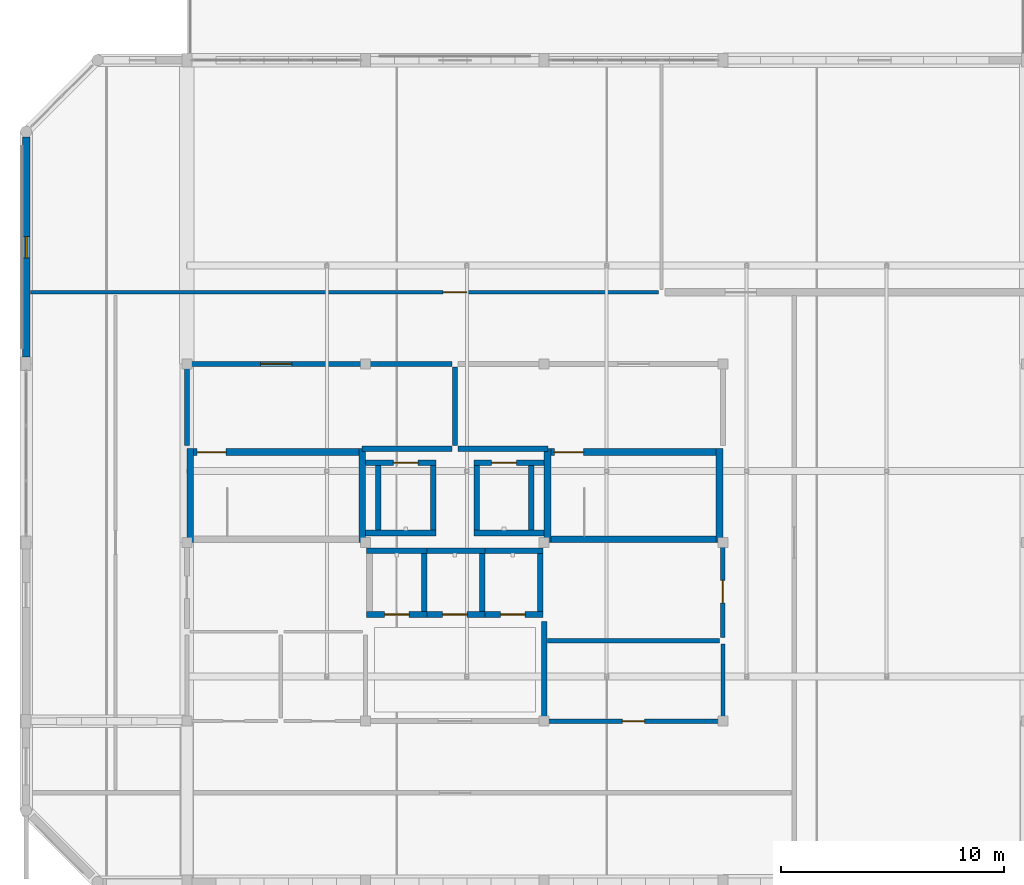
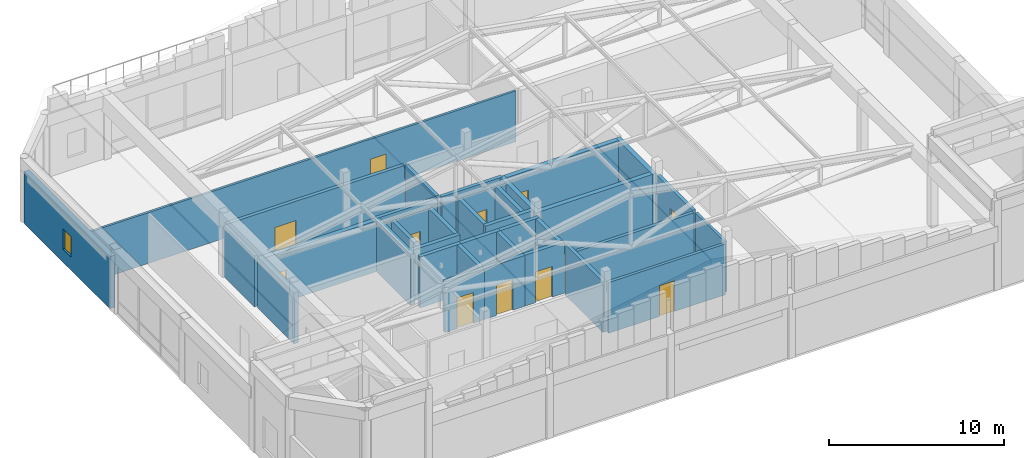
# One storey, part 20 of 24: 36 walls, 11 doors, 1 window, 12 openings.
"""IFC4 building model written with IfcOpenShell, lengths in metres."""

from ifc_helpers import new_model, si_unit, direction, frame, frame_2d, origin, place, context, subcontext, project, spatial, rectangle, extrude, material, layer, layer_set, type_object, element, fill, save


model = new_model("IFC4")

# Units and contexts
model_context = context("Model", 3, precision=1e-05, world=origin(), true_north=direction((0.0, 1.0)))
body_context = subcontext(model_context, "Body", "Model", "MODEL_VIEW")
ifc_project = project(units=[si_unit("LENGTHUNIT", "METRE"), si_unit("AREAUNIT", "SQUARE_METRE"), si_unit("VOLUMEUNIT", "CUBIC_METRE"), si_unit("PLANEANGLEUNIT", "RADIAN"), si_unit("MASSUNIT", "GRAM", prefix="KILO")], contexts=[model_context])

# Site, building, storey
site_placement = place(None, origin())
site = spatial("IfcSite", under=ifc_project, at=site_placement, CompositionType="ELEMENT")
building_placement = place(site_placement, origin())
building = spatial("IfcBuilding", under=site, at=building_placement, Name="Vellmiral Cinema and Media Centre", CompositionType="ELEMENT")
storey_placement = place(building_placement, frame((0.0, 0.0, 66.60009765625)))
storey = spatial("IfcBuildingStorey", under=building, at=storey_placement, Name="L16", CompositionType="ELEMENT", Elevation=66.60009765625)

# Wall
ifc_material_1 = material(Name="Concrete C40/50", Category="concrete")
ifc_layer_1 = layer(ifc_material_1, 0.2099609375, Name="Concrete C40/50")
ifc_layer_set_1 = layer_set([ifc_layer_1], Name="Concrete C40/50")
wall_type_1 = type_object("IfcWallType", Name="WL-COMP-210", PredefinedType="SOLIDWALL", material=ifc_layer_set_1)
wall_1_placement = place(storey_placement, frame((140.139892578125, 82.800048828125, 0.0), z_axis=(0.0, 0.0, 1.0), x_axis=(1.0, 0.0, 0.0)))
element("IfcWall", 1, at=wall_1_placement, inside=storey, type_object=wall_type_1, Name="Data Patch and Riser Room Wall S", PredefinedType="SOLIDWALL", context=body_context, shape_type="SweptSolid", body=[
    extrude(rectangle(XDim=7.72021484375, YDim=0.2099609375, at=frame_2d((3.860107421875, 0.0))), origin(), (0.0, 0.0, 1.0), 3.5498046875),
])

# Wall, opening, door
wall_2_placement = place(storey_placement, frame((148.0, 82.93994140625, 0.0), z_axis=(0.0, 0.0, 1.0), x_axis=(0.0, 1.0, 0.0)))
wall_2 = element("IfcWall", 2, at=wall_2_placement, inside=storey, type_object=wall_type_1, Name="Data Patch and Riser Room Wall E", PredefinedType="SOLIDWALL", context=body_context, shape_type="SweptSolid", body=[
    extrude(rectangle(XDim=4.1201171875, YDim=0.2099609375, at=frame_2d((2.06005859375, 0.0))), origin(), (0.0, 0.0, 1.0), 3.5498046875),
])
opening_1_placement = place(wall_2_placement, frame((1.56005859375, 0.0, 0.0)))
opening_1 = element("IfcOpeningElement", 3, at=opening_1_placement, cuts=wall_2, Name="Opening D-FD30B", PredefinedType="OPENING", context=body_context, shape_type="SweptSolid", body=[
    extrude(rectangle(XDim=1.0, YDim=2.14990234375, at=frame_2d((0.5, 1.074951171875))), frame((0.0, 0.116943359375, 0.0), z_axis=(0.0, -1.0, 0.0), x_axis=(1.0, 0.0, 0.0)), (0.0, 0.0, 1.0), 0.23388671875),
])
ifc_material_2 = material(Name="Steel Riser Fire Door", Category="steel")
door_type_1 = type_object("IfcDoorType", Name="DR-FD30-1000x2150", OperationType="NOTDEFINED", PredefinedType="DOOR", material=ifc_material_2)
door_1_placement = place(opening_1_placement, origin())
door_1 = element("IfcDoor", 4, at=door_1_placement, inside=storey, type_object=door_type_1, Name="Data Patch and Riser Room Door", OperationType="SINGLE_SWING_LEFT", OverallHeight=2.14990234375, OverallWidth=1.0, PredefinedType="DOOR", context=body_context, shape_type="SweptSolid", body=[
    extrude(rectangle(XDim=1.0, YDim=2.14990234375, at=frame_2d((0.5, 1.074951171875))), frame((0.0, 0.02490234375, 0.0), z_axis=(0.0, -1.0, 0.0), x_axis=(1.0, 0.0, 0.0)), (0.0, 0.0, 1.0), 0.050048828125),
])
fill(opening_1, door_1)

# Walls
ifc_material_3 = material(Name="Concrete C40/50", Category="concrete")
ifc_layer_2 = layer(ifc_material_3, 0.300048828125, Name="Concrete C40/50")
ifc_layer_set_2 = layer_set([ifc_layer_2], Name="Concrete C40/50")
wall_type_2 = type_object("IfcWallType", Name="WL-CORE-300", PredefinedType="SHEAR", material=ifc_layer_set_2)
for number, where, z_axis, x_axis, name in (
    (5, (124.14990234375, 87.199951171875, 0.0), (0.0, 0.0, 1.0), (0.0, 1.0, 0.0), "Stair Core Wall ST-T1 L16-W"),
    (6, (131.85009765625, 87.199951171875, 0.0), (0.0, 0.0, 1.0), (0.0, 1.0, 0.0), "Stair Core Wall ST-T1 L16-E"),
):
    element("IfcWall", number, at=place(storey_placement, frame(where, z_axis=z_axis, x_axis=x_axis)), inside=storey, type_object=wall_type_2, Name=name, PredefinedType="SHEAR", context=body_context, shape_type="SweptSolid", body=[
        extrude(rectangle(XDim=4.199951171875, YDim=0.300048828125, at=frame_2d((2.10009765625, 0.0))), origin(), (0.0, 0.0, 1.0), 3.5498046875),
    ])

# Wall, opening, door
wall_3_placement = place(storey_placement, frame((124.300048828125, 91.25, 0.0), z_axis=(0.0, 0.0, 1.0), x_axis=(1.0, 0.0, 0.0)))
wall_3 = element("IfcWall", 7, at=wall_3_placement, inside=storey, type_object=wall_type_2, Name="Stair Core Wall ST-T1 L16-N", PredefinedType="SHEAR", context=body_context, shape_type="SweptSolid", body=[
    extrude(rectangle(XDim=7.39990234375, YDim=0.300048828125, at=frame_2d((3.699951171875, 0.0))), origin(), (0.0, 0.0, 1.0), 3.5498046875),
])
opening_2_placement = place(wall_3_placement, frame((0.159912109375, 0.0, 0.0)))
opening_2 = element("IfcOpeningElement", 8, at=opening_2_placement, cuts=wall_3, Name="Opening D-FD30A", PredefinedType="OPENING", context=body_context, shape_type="SweptSolid", body=[
    extrude(rectangle(XDim=1.300048828125, YDim=2.179931640625, at=frame_2d((0.64990234375, 1.08984375))), frame((0.0, 0.162109375, 0.0), z_axis=(0.0, -1.0, 0.0), x_axis=(1.0, 0.0, 0.0)), (0.0, 0.0, 1.0), 0.323974609375),
])
ifc_material_4 = material(Name="Steel Stair Fire Door", Category="steel")
door_type_2 = type_object("IfcDoorType", Name="DR-FD30-1300x2180", OperationType="NOTDEFINED", PredefinedType="DOOR", material=ifc_material_4)
door_2_placement = place(opening_2_placement, frame((1.300048828125, 0.0, 0.0), z_axis=(0.0, 0.0, 1.0), x_axis=(-1.0, 0.0, 0.0)))
door_2 = element("IfcDoor", 9, at=door_2_placement, inside=storey, type_object=door_type_2, Name="Protected Stair Door ST-T1 L16", OperationType="SINGLE_SWING_RIGHT", OverallHeight=2.179931640625, OverallWidth=1.300048828125, PredefinedType="DOOR", context=body_context, shape_type="SweptSolid", body=[
    extrude(rectangle(XDim=1.300048828125, YDim=2.179931640625, at=frame_2d((0.64990234375, 1.08984375))), frame((0.0, 0.02490234375, 0.0), z_axis=(0.0, -1.0, 0.0), x_axis=(1.0, 0.0, 0.0)), (0.0, 0.0, 1.0), 0.050048828125),
])
fill(opening_2, door_2)

# Walls
for number, where, z_axis, x_axis, name in (
    (10, (140.14990234375, 87.199951171875, 0.0), (0.0, 0.0, 1.0), (0.0, 1.0, 0.0), "Stair Core Wall ST-T2 L16-W"),
    (11, (147.85009765625, 87.199951171875, 0.0), (0.0, 0.0, 1.0), (0.0, 1.0, 0.0), "Stair Core Wall ST-T2 L16-E"),
):
    element("IfcWall", number, at=place(storey_placement, frame(where, z_axis=z_axis, x_axis=x_axis)), inside=storey, type_object=wall_type_2, Name=name, PredefinedType="SHEAR", context=body_context, shape_type="SweptSolid", body=[
        extrude(rectangle(XDim=4.199951171875, YDim=0.300048828125, at=frame_2d((2.10009765625, 0.0))), origin(), (0.0, 0.0, 1.0), 3.5498046875),
    ])
wall_4_placement = place(storey_placement, frame((140.300048828125, 87.35009765625, 0.0), z_axis=(0.0, 0.0, 1.0), x_axis=(1.0, 0.0, 0.0)))
element("IfcWall", 12, at=wall_4_placement, inside=storey, type_object=wall_type_2, Name="Stair Core Wall ST-T2 L16-S", PredefinedType="SHEAR", context=body_context, shape_type="SweptSolid", body=[
    extrude(rectangle(XDim=7.39990234375, YDim=0.300048828125, at=frame_2d((3.699951171875, 0.0))), origin(), (0.0, 0.0, 1.0), 3.5498046875),
])

# Wall, opening, door
wall_5_placement = place(storey_placement, frame((140.300048828125, 91.25, 0.0), z_axis=(0.0, 0.0, 1.0), x_axis=(1.0, 0.0, 0.0)))
wall_5 = element("IfcWall", 13, at=wall_5_placement, inside=storey, type_object=wall_type_2, Name="Stair Core Wall ST-T2 L16-N", PredefinedType="SHEAR", context=body_context, shape_type="SweptSolid", body=[
    extrude(rectangle(XDim=7.39990234375, YDim=0.300048828125, at=frame_2d((3.699951171875, 0.0))), origin(), (0.0, 0.0, 1.0), 3.5498046875),
])
opening_3_placement = place(wall_5_placement, frame((0.159912109375, 0.0, 0.0)))
opening_3 = element("IfcOpeningElement", 14, at=opening_3_placement, cuts=wall_5, Name="Opening D-FD30A", PredefinedType="OPENING", context=body_context, shape_type="SweptSolid", body=[
    extrude(rectangle(XDim=1.300048828125, YDim=2.179931640625, at=frame_2d((0.64990234375, 1.08984375))), frame((0.0, 0.162109375, 0.0), z_axis=(0.0, -1.0, 0.0), x_axis=(1.0, 0.0, 0.0)), (0.0, 0.0, 1.0), 0.323974609375),
])
door_3_placement = place(opening_3_placement, frame((1.300048828125, 0.0, 0.0), z_axis=(0.0, 0.0, 1.0), x_axis=(-1.0, 0.0, 0.0)))
door_3 = element("IfcDoor", 15, at=door_3_placement, inside=storey, type_object=door_type_2, Name="Protected Stair Door ST-T2 L16", OperationType="SINGLE_SWING_RIGHT", OverallHeight=2.179931640625, OverallWidth=1.300048828125, PredefinedType="DOOR", context=body_context, shape_type="SweptSolid", body=[
    extrude(rectangle(XDim=1.300048828125, YDim=2.179931640625, at=frame_2d((0.64990234375, 1.08984375))), frame((0.0, 0.02490234375, 0.0), z_axis=(0.0, -1.0, 0.0), x_axis=(1.0, 0.0, 0.0)), (0.0, 0.0, 1.0), 0.050048828125),
])
fill(opening_3, door_3)

# Wall, opening, window
ifc_material_5 = material(Name="Vosges Red Sandstone Masonry", Category="masonry")
ifc_layer_3 = layer(ifc_material_5, 0.340087890625, Name="Vosges Red Sandstone Masonry")
ifc_layer_set_3 = layer_set([ifc_layer_3], Name="Vosges Red Sandstone Masonry")
wall_type_3 = type_object("IfcWallType", Name="WL-EXT-SAND-340", PredefinedType="SOLIDWALL", material=ifc_layer_set_3)
wall_6_placement = place(storey_placement, frame((116.800048828125, 105.35009765625, 0.0), z_axis=(0.0, 0.0, 1.0), x_axis=(0.0, -1.0, 0.0)))
wall_6 = element("IfcWall", 16, at=wall_6_placement, inside=storey, type_object=wall_type_3, Name="Exterior Facade Wall L16-020", PredefinedType="SOLIDWALL", context=body_context, shape_type="SweptSolid", body=[
    extrude(rectangle(XDim=9.85009765625, YDim=0.340087890625, at=frame_2d((4.925048828125, 0.0))), origin(), (0.0, 0.0, 1.0), 3.64990234375),
])
opening_4_placement = place(wall_6_placement, frame((4.449951171875, 0.0, 0.89990234375)))
opening_4 = element("IfcOpeningElement", 17, at=opening_4_placement, cuts=wall_6, Name="Opening WN-12", PredefinedType="OPENING", context=body_context, shape_type="SweptSolid", body=[
    extrude(rectangle(XDim=0.949951171875, YDim=1.449951171875, at=frame_2d((0.47509765625, 0.72509765625))), frame((0.0, 0.18212890625, 0.0), z_axis=(0.0, -1.0, 0.0), x_axis=(1.0, 0.0, 0.0)), (0.0, 0.0, 1.0), 0.364013671875),
])
ifc_material_6 = material(Name="Thermally Broken Aluminium Triple Glazing", Category="aluminium")
window_type = type_object("IfcWindowType", Name="WN-0950x1450", PartitioningType="SINGLE_PANEL", PredefinedType="WINDOW", material=ifc_material_6)
window_placement = place(opening_4_placement, origin())
window = element("IfcWindow", 18, at=window_placement, inside=storey, type_object=window_type, Name="Window L16-020", OverallHeight=1.449951171875, OverallWidth=0.949951171875, PartitioningType="SINGLE_PANEL", PredefinedType="WINDOW", context=body_context, shape_type="SweptSolid", body=[
    extrude(rectangle(XDim=0.949951171875, YDim=1.449951171875, at=frame_2d((0.47509765625, 0.72509765625))), frame((0.0, 0.030029296875, 0.0), z_axis=(0.0, -1.0, 0.0), x_axis=(1.0, 0.0, 0.0)), (0.0, 0.0, 1.0), 0.06005859375),
])
fill(opening_4, window)

# Wall
ifc_material_7 = material(Name="Concrete C40/50", Category="concrete")
ifc_layer_4 = layer(ifc_material_7, 0.22998046875, Name="Concrete C40/50")
ifc_layer_set_4 = layer_set([ifc_layer_4], Name="Concrete C40/50")
wall_type_4 = type_object("IfcWallType", Name="WL-FFL-230", PredefinedType="SOLIDWALL", material=ifc_layer_set_4)
wall_7_placement = place(storey_placement, frame((131.840087890625, 91.39990234375, 0.0), z_axis=(0.0, 0.0, 1.0), x_axis=(1.0, 0.0, 0.0)))
element("IfcWall", 19, at=wall_7_placement, inside=storey, type_object=wall_type_4, Name="Firefighting Lobby West Wall S", PredefinedType="SOLIDWALL", context=body_context, shape_type="SweptSolid", body=[
    extrude(rectangle(XDim=4.02001953125, YDim=0.22998046875, at=frame_2d((2.010009765625, 0.0))), origin(), (0.0, 0.0, 1.0), 3.5498046875),
])

# Wall, opening, door
wall_8_placement = place(storey_placement, frame((124.139892578125, 95.199951171875, 0.0), z_axis=(0.0, 0.0, 1.0), x_axis=(1.0, 0.0, 0.0)))
wall_8 = element("IfcWall", 20, at=wall_8_placement, inside=storey, type_object=wall_type_4, Name="Firefighting Lobby West Wall N", PredefinedType="SOLIDWALL", context=body_context, shape_type="SweptSolid", body=[
    extrude(rectangle(XDim=11.72021484375, YDim=0.22998046875, at=frame_2d((5.860107421875, 0.0))), origin(), (0.0, 0.0, 1.0), 3.5498046875),
])
opening_5_placement = place(wall_8_placement, frame((3.159912109375, 0.0, 0.0)))
opening_5 = element("IfcOpeningElement", 21, at=opening_5_placement, cuts=wall_8, Name="Opening D-FD60B", PredefinedType="OPENING", context=body_context, shape_type="SweptSolid", body=[
    extrude(rectangle(XDim=1.39990234375, YDim=2.199951171875, at=frame_2d((0.699951171875, 1.10009765625))), frame((0.0, 0.126953125, 0.0), z_axis=(0.0, -1.0, 0.0), x_axis=(1.0, 0.0, 0.0)), (0.0, 0.0, 1.0), 0.25390625),
])
ifc_material_8 = material(Name="Steel Fire Door", Category="steel")
door_type_3 = type_object("IfcDoorType", Name="DR-FD60-1400x2200", OperationType="NOTDEFINED", PredefinedType="DOOR", material=ifc_material_8)
door_4_placement = place(opening_5_placement, frame((1.39990234375, 0.0, 0.0), z_axis=(0.0, 0.0, 1.0), x_axis=(-1.0, 0.0, 0.0)))
door_4 = element("IfcDoor", 22, at=door_4_placement, inside=storey, type_object=door_type_3, Name="Firefighting Lobby West Door", OperationType="SINGLE_SWING_RIGHT", OverallHeight=2.199951171875, OverallWidth=1.39990234375, PredefinedType="DOOR", context=body_context, shape_type="SweptSolid", body=[
    extrude(rectangle(XDim=1.39990234375, YDim=2.199951171875, at=frame_2d((0.699951171875, 1.10009765625))), frame((0.0, 0.02490234375, 0.0), z_axis=(0.0, -1.0, 0.0), x_axis=(1.0, 0.0, 0.0)), (0.0, 0.0, 1.0), 0.050048828125),
])
fill(opening_5, door_4)

# Walls
for number, where, z_axis, x_axis, name in (
    (23, (124.0, 91.5400390625, 0.0), (0.0, 0.0, 1.0), (0.0, 1.0, 0.0), "Firefighting Lobby West Wall W"),
    (24, (136.0, 91.5400390625, 0.0), (0.0, 0.0, 1.0), (0.0, 1.0, 0.0), "Firefighting Lobby West Wall E"),
):
    element("IfcWall", number, at=place(storey_placement, frame(where, z_axis=z_axis, x_axis=x_axis)), inside=storey, type_object=wall_type_4, Name=name, PredefinedType="SOLIDWALL", context=body_context, shape_type="SweptSolid", body=[
        extrude(rectangle(XDim=3.52001953125, YDim=0.22998046875, at=frame_2d((1.760009765625, 0.0))), origin(), (0.0, 0.0, 1.0), 3.5498046875),
    ])
wall_9_placement = place(storey_placement, frame((136.139892578125, 91.39990234375, 0.0), z_axis=(0.0, 0.0, 1.0), x_axis=(1.0, 0.0, 0.0)))
element("IfcWall", 25, at=wall_9_placement, inside=storey, type_object=wall_type_4, Name="Firefighting Lobby East Wall S", PredefinedType="SOLIDWALL", context=body_context, shape_type="SweptSolid", body=[
    extrude(rectangle(XDim=4.02001953125, YDim=0.22998046875, at=frame_2d((2.010009765625, 0.0))), origin(), (0.0, 0.0, 1.0), 3.5498046875),
])
wall_10_placement = place(storey_placement, frame((140.0, 79.340087890625, 0.0), z_axis=(0.0, 0.0, 1.0), x_axis=(0.0, 1.0, 0.0)))
element("IfcWall", 26, at=wall_10_placement, inside=storey, type_object=wall_type_4, Name="Tower Passenger Lift Lobby Wall E", PredefinedType="SOLIDWALL", context=body_context, shape_type="SweptSolid", body=[
    extrude(rectangle(XDim=4.31982421875, YDim=0.22998046875, at=frame_2d((2.159912109375, 0.0))), origin(), (0.0, 0.0, 1.0), 3.5498046875),
])

# Wall, opening, door
ifc_material_9 = material(Name="Gypsum Plasterboard")
ifc_layer_5 = layer(ifc_material_9, 0.02490234375, Name="Gypsum Plasterboard", Category="gypsum")
ifc_material_10 = material(Name="Mineral Wool Acoustic Insulation", Category="insulation")
ifc_layer_6 = layer(ifc_material_10, 0.10009765625, Name="Mineral Wool Acoustic Insulation", Category="insulation")
ifc_layer_7 = layer(ifc_material_9, 0.02490234375, Name="Gypsum Plasterboard", Category="gypsum")
ifc_layer_set_5 = layer_set([ifc_layer_5, ifc_layer_6, ifc_layer_7], Name="Gypsum Plasterboard")
wall_type_5 = type_object("IfcWallType", Name="WL-PART-150", PredefinedType="PARTITIONING", material=ifc_layer_set_5)
wall_11_placement = place(storey_placement, frame((116.985107421875, 98.39990234375, 0.0), z_axis=(0.0, 0.0, 1.0), x_axis=(1.0, 0.0, 0.0)))
wall_11 = element("IfcWall", 27, at=wall_11_placement, inside=storey, type_object=wall_type_5, Name="Crown Broadcast Observatory Lounge Wall S", PredefinedType="PARTITIONING", context=body_context, shape_type="SweptSolid", body=[
    extrude(rectangle(XDim=28.135009765625, YDim=0.14990234375, at=frame_2d((14.0673828125, 0.0))), origin(), (0.0, 0.0, 1.0), 3.5498046875),
])
opening_6_placement = place(wall_11_placement, frame((18.489990234375, 0.0, 0.0)))
opening_6 = element("IfcOpeningElement", 28, at=opening_6_placement, cuts=wall_11, Name="Opening D-I07", PredefinedType="OPENING", context=body_context, shape_type="SweptSolid", body=[
    extrude(rectangle(XDim=1.050048828125, YDim=2.14990234375, at=frame_2d((0.52490234375, 1.074951171875))), frame((0.0, 0.0869140625, 0.0), z_axis=(0.0, -1.0, 0.0), x_axis=(1.0, 0.0, 0.0)), (0.0, 0.0, 1.0), 0.173828125),
])
ifc_material_11 = material(Name="Laminated Timber Door", Category="wood")
door_type_4 = type_object("IfcDoorType", Name="DR-INT-1050x2150", OperationType="NOTDEFINED", PredefinedType="DOOR", material=ifc_material_11)
door_5_placement = place(opening_6_placement, frame((1.050048828125, 0.0, 0.0), z_axis=(0.0, 0.0, 1.0), x_axis=(-1.0, 0.0, 0.0)))
door_5 = element("IfcDoor", 29, at=door_5_placement, inside=storey, type_object=door_type_4, Name="Crown Broadcast Observatory Lounge Door", OperationType="SINGLE_SWING_LEFT", OverallHeight=2.14990234375, OverallWidth=1.050048828125, PredefinedType="DOOR", context=body_context, shape_type="SweptSolid", body=[
    extrude(rectangle(XDim=1.050048828125, YDim=2.14990234375, at=frame_2d((0.52490234375, 1.074951171875))), frame((0.0, 0.02490234375, 0.0), z_axis=(0.0, -1.0, 0.0), x_axis=(1.0, 0.0, 0.0)), (0.0, 0.0, 1.0), 0.050048828125),
])
fill(opening_6, door_5)

# Wall
ifc_material_12 = material(Name="Gypsum Plasterboard")
ifc_layer_8 = layer(ifc_material_12, 0.02490234375, Name="Gypsum Plasterboard", Category="gypsum")
ifc_material_13 = material(Name="Mineral Wool Acoustic Insulation", Category="insulation")
ifc_layer_9 = layer(ifc_material_13, 0.1201171875, Name="Mineral Wool Acoustic Insulation", Category="insulation")
ifc_layer_10 = layer(ifc_material_12, 0.02490234375, Name="Gypsum Plasterboard", Category="gypsum")
ifc_layer_set_6 = layer_set([ifc_layer_8, ifc_layer_9, ifc_layer_10], Name="Gypsum Plasterboard")
wall_type_6 = type_object("IfcWallType", Name="WL-PART-170", PredefinedType="PARTITIONING", material=ifc_layer_set_6)
wall_12_placement = place(storey_placement, frame((148.0, 79.340087890625, 0.0), z_axis=(0.0, 0.0, 1.0), x_axis=(0.0, 1.0, 0.0)))
element("IfcWall", 30, at=wall_12_placement, inside=storey, type_object=wall_type_6, Name="Print and Archive Copy Room Wall E", PredefinedType="PARTITIONING", context=body_context, shape_type="SweptSolid", body=[
    extrude(rectangle(XDim=3.31982421875, YDim=0.169921875, at=frame_2d((1.659912109375, 0.0))), origin(), (0.0, 0.0, 1.0), 3.5498046875),
])

# Wall, opening, door
ifc_material_14 = material(Name="Gypsum Plasterboard")
ifc_layer_11 = layer(ifc_material_14, 0.02490234375, Name="Gypsum Plasterboard", Category="gypsum")
ifc_material_15 = material(Name="Mineral Wool Acoustic Insulation", Category="insulation")
ifc_layer_12 = layer(ifc_material_15, 0.139892578125, Name="Mineral Wool Acoustic Insulation", Category="insulation")
ifc_layer_13 = layer(ifc_material_14, 0.02490234375, Name="Gypsum Plasterboard", Category="gypsum")
ifc_layer_set_7 = layer_set([ifc_layer_11, ifc_layer_12, ifc_layer_13], Name="Gypsum Plasterboard")
wall_type_7 = type_object("IfcWallType", Name="WL-PART-190", PredefinedType="PARTITIONING", material=ifc_layer_set_7)
wall_13_placement = place(storey_placement, frame((140.139892578125, 79.199951171875, 0.0), z_axis=(0.0, 0.0, 1.0), x_axis=(1.0, 0.0, 0.0)))
wall_13 = element("IfcWall", 31, at=wall_13_placement, inside=storey, type_object=wall_type_7, Name="Print and Archive Copy Room Wall S", PredefinedType="PARTITIONING", context=body_context, shape_type="SweptSolid", body=[
    extrude(rectangle(XDim=7.72021484375, YDim=0.18994140625, at=frame_2d((3.860107421875, 0.0))), origin(), (0.0, 0.0, 1.0), 3.5498046875),
])
opening_7_placement = place(wall_13_placement, frame((3.360107421875, 0.0, 0.0)))
opening_7 = element("IfcOpeningElement", 32, at=opening_7_placement, cuts=wall_13, Name="Opening D-I08", PredefinedType="OPENING", context=body_context, shape_type="SweptSolid", body=[
    extrude(rectangle(XDim=1.0, YDim=2.14990234375, at=frame_2d((0.5, 1.074951171875))), frame((0.0, 0.10693359375, 0.0), z_axis=(0.0, -1.0, 0.0), x_axis=(1.0, 0.0, 0.0)), (0.0, 0.0, 1.0), 0.2138671875),
])
ifc_material_16 = material(Name="Laminated Timber Door", Category="wood")
door_type_5 = type_object("IfcDoorType", Name="DR-INT-1000x2150", OperationType="NOTDEFINED", PredefinedType="DOOR", material=ifc_material_16)
door_6_placement = place(opening_7_placement, origin())
door_6 = element("IfcDoor", 33, at=door_6_placement, inside=storey, type_object=door_type_5, Name="Print and Archive Copy Room Door", OperationType="SINGLE_SWING_RIGHT", OverallHeight=2.14990234375, OverallWidth=1.0, PredefinedType="DOOR", context=body_context, shape_type="SweptSolid", body=[
    extrude(rectangle(XDim=1.0, YDim=2.14990234375, at=frame_2d((0.5, 1.074951171875))), frame((0.0, 0.02490234375, 0.0), z_axis=(0.0, -1.0, 0.0), x_axis=(1.0, 0.0, 0.0)), (0.0, 0.0, 1.0), 0.050048828125),
])
fill(opening_7, door_6)

# Wall
ifc_material_17 = material(Name="Concrete C40/50", Category="concrete")
ifc_layer_14 = layer(ifc_material_17, 0.25, Name="Concrete C40/50")
ifc_layer_set_8 = layer_set([ifc_layer_14], Name="Concrete C40/50")
wall_type_8 = type_object("IfcWallType", Name="WL-SHAFT-250", PredefinedType="SHEAR", material=ifc_layer_set_8)
wall_14_placement = place(storey_placement, frame((132.0, 87.625, 0.0), z_axis=(0.0, 0.0, 1.0), x_axis=(1.0, 0.0, 0.0)))
element("IfcWall", 34, at=wall_14_placement, inside=storey, type_object=wall_type_8, Name="Lift Shaft Wall LF-FF1 L16-S", PredefinedType="SHEAR", context=body_context, shape_type="SweptSolid", body=[
    extrude(rectangle(XDim=3.14990234375, YDim=0.25, at=frame_2d((1.574951171875, 0.0))), origin(), (0.0, 0.0, 1.0), 3.5498046875),
])

# Wall, opening, door
wall_15_placement = place(storey_placement, frame((132.0, 90.77490234375, 0.0), z_axis=(0.0, 0.0, 1.0), x_axis=(1.0, 0.0, 0.0)))
wall_15 = element("IfcWall", 35, at=wall_15_placement, inside=storey, type_object=wall_type_8, Name="Lift Shaft Wall LF-FF1 L16-N", PredefinedType="SHEAR", context=body_context, shape_type="SweptSolid", body=[
    extrude(rectangle(XDim=3.14990234375, YDim=0.25, at=frame_2d((1.574951171875, 0.0))), origin(), (0.0, 0.0, 1.0), 3.5498046875),
])
opening_8_placement = place(wall_15_placement, frame((1.25, 0.0, 0.0)))
opening_8 = element("IfcOpeningElement", 36, at=opening_8_placement, cuts=wall_15, Name="Opening LD-01", PredefinedType="OPENING", context=body_context, shape_type="SweptSolid", body=[
    extrude(rectangle(XDim=1.10009765625, YDim=2.14990234375, at=frame_2d((0.550048828125, 1.074951171875))), frame((0.0, 0.136962890625, 0.0), z_axis=(0.0, -1.0, 0.0), x_axis=(1.0, 0.0, 0.0)), (0.0, 0.0, 1.0), 0.27392578125),
])
ifc_material_18 = material(Name="Stainless Steel Lift Landing Door", Category="steel")
door_type_6 = type_object("IfcDoorType", Name="DR-LIFT-1100x2150", OperationType="SLIDING_TO_LEFT", PredefinedType="DOOR", material=ifc_material_18)
door_7_placement = place(opening_8_placement, origin())
door_7 = element("IfcDoor", 37, at=door_7_placement, inside=storey, type_object=door_type_6, Name="Lift Landing Door LF-FF1 L16", OperationType="SLIDING_TO_LEFT", OverallHeight=2.14990234375, OverallWidth=1.10009765625, PredefinedType="DOOR", context=body_context, shape_type="SweptSolid", body=[
    extrude(rectangle(XDim=1.10009765625, YDim=2.14990234375, at=frame_2d((0.550048828125, 1.074951171875))), frame((0.0, 0.02490234375, 0.0), z_axis=(0.0, -1.0, 0.0), x_axis=(1.0, 0.0, 0.0)), (0.0, 0.0, 1.0), 0.050048828125),
])
fill(opening_8, door_7)

# Walls
for number, where, z_axis, x_axis, name in (
    (38, (132.574951171875, 87.75, 0.0), (0.0, 0.0, 1.0), (0.0, 1.0, 0.0), "Lift Shaft Wall LF-FF1 L16-W"),
    (39, (135.02490234375, 87.75, 0.0), (0.0, 0.0, 1.0), (0.0, 1.0, 0.0), "Lift Shaft Wall LF-FF1 L16-E"),
):
    element("IfcWall", number, at=place(storey_placement, frame(where, z_axis=z_axis, x_axis=x_axis)), inside=storey, type_object=wall_type_8, Name=name, PredefinedType="SHEAR", context=body_context, shape_type="SweptSolid", body=[
        extrude(rectangle(XDim=2.89990234375, YDim=0.25, at=frame_2d((1.449951171875, 0.0))), origin(), (0.0, 0.0, 1.0), 3.5498046875),
    ])
wall_16_placement = place(storey_placement, frame((136.85009765625, 87.625, 0.0), z_axis=(0.0, 0.0, 1.0), x_axis=(1.0, 0.0, 0.0)))
element("IfcWall", 40, at=wall_16_placement, inside=storey, type_object=wall_type_8, Name="Lift Shaft Wall LF-FF2 L16-S", PredefinedType="SHEAR", context=body_context, shape_type="SweptSolid", body=[
    extrude(rectangle(XDim=3.14990234375, YDim=0.25, at=frame_2d((1.574951171875, 0.0))), origin(), (0.0, 0.0, 1.0), 3.5498046875),
])

# Wall, opening, door
wall_17_placement = place(storey_placement, frame((136.85009765625, 90.77490234375, 0.0), z_axis=(0.0, 0.0, 1.0), x_axis=(1.0, 0.0, 0.0)))
wall_17 = element("IfcWall", 41, at=wall_17_placement, inside=storey, type_object=wall_type_8, Name="Lift Shaft Wall LF-FF2 L16-N", PredefinedType="SHEAR", context=body_context, shape_type="SweptSolid", body=[
    extrude(rectangle(XDim=3.14990234375, YDim=0.25, at=frame_2d((1.574951171875, 0.0))), origin(), (0.0, 0.0, 1.0), 3.5498046875),
])
opening_9_placement = place(wall_17_placement, frame((0.800048828125, 0.0, 0.0)))
opening_9 = element("IfcOpeningElement", 42, at=opening_9_placement, cuts=wall_17, Name="Opening LD-01", PredefinedType="OPENING", context=body_context, shape_type="SweptSolid", body=[
    extrude(rectangle(XDim=1.10009765625, YDim=2.14990234375, at=frame_2d((0.550048828125, 1.074951171875))), frame((0.0, 0.136962890625, 0.0), z_axis=(0.0, -1.0, 0.0), x_axis=(1.0, 0.0, 0.0)), (0.0, 0.0, 1.0), 0.27392578125),
])
door_8_placement = place(opening_9_placement, origin())
door_8 = element("IfcDoor", 43, at=door_8_placement, inside=storey, type_object=door_type_6, Name="Lift Landing Door LF-FF2 L16", OperationType="SLIDING_TO_LEFT", OverallHeight=2.14990234375, OverallWidth=1.10009765625, PredefinedType="DOOR", context=body_context, shape_type="SweptSolid", body=[
    extrude(rectangle(XDim=1.10009765625, YDim=2.14990234375, at=frame_2d((0.550048828125, 1.074951171875))), frame((0.0, 0.02490234375, 0.0), z_axis=(0.0, -1.0, 0.0), x_axis=(1.0, 0.0, 0.0)), (0.0, 0.0, 1.0), 0.050048828125),
])
fill(opening_9, door_8)

# Walls
for number, where, z_axis, x_axis, name in (
    (44, (136.97509765625, 87.75, 0.0), (0.0, 0.0, 1.0), (0.0, 1.0, 0.0), "Lift Shaft Wall LF-FF2 L16-W"),
    (45, (139.425048828125, 87.75, 0.0), (0.0, 0.0, 1.0), (0.0, 1.0, 0.0), "Lift Shaft Wall LF-FF2 L16-E"),
):
    element("IfcWall", number, at=place(storey_placement, frame(where, z_axis=z_axis, x_axis=x_axis)), inside=storey, type_object=wall_type_8, Name=name, PredefinedType="SHEAR", context=body_context, shape_type="SweptSolid", body=[
        extrude(rectangle(XDim=2.89990234375, YDim=0.25, at=frame_2d((1.449951171875, 0.0))), origin(), (0.0, 0.0, 1.0), 3.5498046875),
    ])

# Wall, opening, door
wall_18_placement = place(storey_placement, frame((132.050048828125, 83.97509765625, 0.0), z_axis=(0.0, 0.0, 1.0), x_axis=(1.0, 0.0, 0.0)))
wall_18 = element("IfcWall", 46, at=wall_18_placement, inside=storey, type_object=wall_type_8, Name="Lift Shaft Wall LF-P1 L16-S", PredefinedType="SHEAR", context=body_context, shape_type="SweptSolid", body=[
    extrude(rectangle(XDim=2.699951171875, YDim=0.25, at=frame_2d((1.35009765625, 0.0))), origin(), (0.0, 0.0, 1.0), 3.5498046875),
])
opening_10_placement = place(wall_18_placement, frame((0.800048828125, 0.0, 0.0)))
opening_10 = element("IfcOpeningElement", 47, at=opening_10_placement, cuts=wall_18, Name="Opening LD-01", PredefinedType="OPENING", context=body_context, shape_type="SweptSolid", body=[
    extrude(rectangle(XDim=1.10009765625, YDim=2.14990234375, at=frame_2d((0.550048828125, 1.074951171875))), frame((0.0, 0.136962890625, 0.0), z_axis=(0.0, -1.0, 0.0), x_axis=(1.0, 0.0, 0.0)), (0.0, 0.0, 1.0), 0.27392578125),
])
door_9_placement = place(opening_10_placement, origin())
door_9 = element("IfcDoor", 48, at=door_9_placement, inside=storey, type_object=door_type_6, Name="Lift Landing Door LF-P1 L16", OperationType="SLIDING_TO_LEFT", OverallHeight=2.14990234375, OverallWidth=1.10009765625, PredefinedType="DOOR", context=body_context, shape_type="SweptSolid", body=[
    extrude(rectangle(XDim=1.10009765625, YDim=2.14990234375, at=frame_2d((0.550048828125, 1.074951171875))), frame((0.0, 0.02490234375, 0.0), z_axis=(0.0, -1.0, 0.0), x_axis=(1.0, 0.0, 0.0)), (0.0, 0.0, 1.0), 0.050048828125),
])
fill(opening_10, door_9)

# Walls
wall_19_placement = place(storey_placement, frame((132.050048828125, 86.824951171875, 0.0), z_axis=(0.0, 0.0, 1.0), x_axis=(1.0, 0.0, 0.0)))
element("IfcWall", 49, at=wall_19_placement, inside=storey, type_object=wall_type_8, Name="Lift Shaft Wall LF-P1 L16-N", PredefinedType="SHEAR", context=body_context, shape_type="SweptSolid", body=[
    extrude(rectangle(XDim=2.699951171875, YDim=0.25, at=frame_2d((1.35009765625, 0.0))), origin(), (0.0, 0.0, 1.0), 3.5498046875),
])
wall_20_placement = place(storey_placement, frame((134.625, 84.10009765625, 0.0), z_axis=(0.0, 0.0, 1.0), x_axis=(0.0, 1.0, 0.0)))
element("IfcWall", 50, at=wall_20_placement, inside=storey, type_object=wall_type_8, Name="Lift Shaft Wall LF-P1 L16-E", PredefinedType="SHEAR", context=body_context, shape_type="SweptSolid", body=[
    extrude(rectangle(XDim=2.599853515625, YDim=0.25, at=frame_2d((1.2998046875, 0.0))), origin(), (0.0, 0.0, 1.0), 3.5498046875),
])

# Wall, opening, door
wall_21_placement = place(storey_placement, frame((134.64990234375, 83.97509765625, 0.0), z_axis=(0.0, 0.0, 1.0), x_axis=(1.0, 0.0, 0.0)))
wall_21 = element("IfcWall", 51, at=wall_21_placement, inside=storey, type_object=wall_type_8, Name="Lift Shaft Wall LF-P2 L16-S", PredefinedType="SHEAR", context=body_context, shape_type="SweptSolid", body=[
    extrude(rectangle(XDim=2.7001953125, YDim=0.25, at=frame_2d((1.35009765625, 0.0))), origin(), (0.0, 0.0, 1.0), 3.5498046875),
])
opening_11_placement = place(wall_21_placement, frame((0.800048828125, 0.0, 0.0)))
opening_11 = element("IfcOpeningElement", 52, at=opening_11_placement, cuts=wall_21, Name="Opening LD-01", PredefinedType="OPENING", context=body_context, shape_type="SweptSolid", body=[
    extrude(rectangle(XDim=1.10009765625, YDim=2.14990234375, at=frame_2d((0.550048828125, 1.074951171875))), frame((0.0, 0.136962890625, 0.0), z_axis=(0.0, -1.0, 0.0), x_axis=(1.0, 0.0, 0.0)), (0.0, 0.0, 1.0), 0.27392578125),
])
door_10_placement = place(opening_11_placement, origin())
door_10 = element("IfcDoor", 53, at=door_10_placement, inside=storey, type_object=door_type_6, Name="Lift Landing Door LF-P2 L16", OperationType="SLIDING_TO_LEFT", OverallHeight=2.14990234375, OverallWidth=1.10009765625, PredefinedType="DOOR", context=body_context, shape_type="SweptSolid", body=[
    extrude(rectangle(XDim=1.10009765625, YDim=2.14990234375, at=frame_2d((0.550048828125, 1.074951171875))), frame((0.0, 0.02490234375, 0.0), z_axis=(0.0, -1.0, 0.0), x_axis=(1.0, 0.0, 0.0)), (0.0, 0.0, 1.0), 0.050048828125),
])
fill(opening_11, door_10)

# Walls
wall_22_placement = place(storey_placement, frame((134.64990234375, 86.824951171875, 0.0), z_axis=(0.0, 0.0, 1.0), x_axis=(1.0, 0.0, 0.0)))
element("IfcWall", 54, at=wall_22_placement, inside=storey, type_object=wall_type_8, Name="Lift Shaft Wall LF-P2 L16-N", PredefinedType="SHEAR", context=body_context, shape_type="SweptSolid", body=[
    extrude(rectangle(XDim=2.7001953125, YDim=0.25, at=frame_2d((1.35009765625, 0.0))), origin(), (0.0, 0.0, 1.0), 3.5498046875),
])
wall_23_placement = place(storey_placement, frame((137.22509765625, 84.10009765625, 0.0), z_axis=(0.0, 0.0, 1.0), x_axis=(0.0, 1.0, 0.0)))
element("IfcWall", 55, at=wall_23_placement, inside=storey, type_object=wall_type_8, Name="Lift Shaft Wall LF-P2 L16-E", PredefinedType="SHEAR", context=body_context, shape_type="SweptSolid", body=[
    extrude(rectangle(XDim=2.599853515625, YDim=0.25, at=frame_2d((1.2998046875, 0.0))), origin(), (0.0, 0.0, 1.0), 3.5498046875),
])

# Wall, opening, door
wall_24_placement = place(storey_placement, frame((137.25, 83.97509765625, 0.0), z_axis=(0.0, 0.0, 1.0), x_axis=(1.0, 0.0, 0.0)))
wall_24 = element("IfcWall", 56, at=wall_24_placement, inside=storey, type_object=wall_type_8, Name="Lift Shaft Wall LF-P3 L16-S", PredefinedType="SHEAR", context=body_context, shape_type="SweptSolid", body=[
    extrude(rectangle(XDim=2.699951171875, YDim=0.25, at=frame_2d((1.35009765625, 0.0))), origin(), (0.0, 0.0, 1.0), 3.5498046875),
])
opening_12_placement = place(wall_24_placement, frame((0.800048828125, 0.0, 0.0)))
opening_12 = element("IfcOpeningElement", 57, at=opening_12_placement, cuts=wall_24, Name="Opening LD-01", PredefinedType="OPENING", context=body_context, shape_type="SweptSolid", body=[
    extrude(rectangle(XDim=1.10009765625, YDim=2.14990234375, at=frame_2d((0.550048828125, 1.074951171875))), frame((0.0, 0.136962890625, 0.0), z_axis=(0.0, -1.0, 0.0), x_axis=(1.0, 0.0, 0.0)), (0.0, 0.0, 1.0), 0.27392578125),
])
door_11_placement = place(opening_12_placement, origin())
door_11 = element("IfcDoor", 58, at=door_11_placement, inside=storey, type_object=door_type_6, Name="Lift Landing Door LF-P3 L16", OperationType="SLIDING_TO_LEFT", OverallHeight=2.14990234375, OverallWidth=1.10009765625, PredefinedType="DOOR", context=body_context, shape_type="SweptSolid", body=[
    extrude(rectangle(XDim=1.10009765625, YDim=2.14990234375, at=frame_2d((0.550048828125, 1.074951171875))), frame((0.0, 0.02490234375, 0.0), z_axis=(0.0, -1.0, 0.0), x_axis=(1.0, 0.0, 0.0)), (0.0, 0.0, 1.0), 0.050048828125),
])
fill(opening_12, door_11)

# Walls
wall_25_placement = place(storey_placement, frame((137.25, 86.824951171875, 0.0), z_axis=(0.0, 0.0, 1.0), x_axis=(1.0, 0.0, 0.0)))
element("IfcWall", 59, at=wall_25_placement, inside=storey, type_object=wall_type_8, Name="Lift Shaft Wall LF-P3 L16-N", PredefinedType="SHEAR", context=body_context, shape_type="SweptSolid", body=[
    extrude(rectangle(XDim=2.699951171875, YDim=0.25, at=frame_2d((1.35009765625, 0.0))), origin(), (0.0, 0.0, 1.0), 3.5498046875),
])
wall_26_placement = place(storey_placement, frame((139.824951171875, 84.10009765625, 0.0), z_axis=(0.0, 0.0, 1.0), x_axis=(0.0, 1.0, 0.0)))
element("IfcWall", 60, at=wall_26_placement, inside=storey, type_object=wall_type_8, Name="Lift Shaft Wall LF-P3 L16-E", PredefinedType="SHEAR", context=body_context, shape_type="SweptSolid", body=[
    extrude(rectangle(XDim=2.599853515625, YDim=0.25, at=frame_2d((1.2998046875, 0.0))), origin(), (0.0, 0.0, 1.0), 3.5498046875),
])

save(model, "model.ifc")
